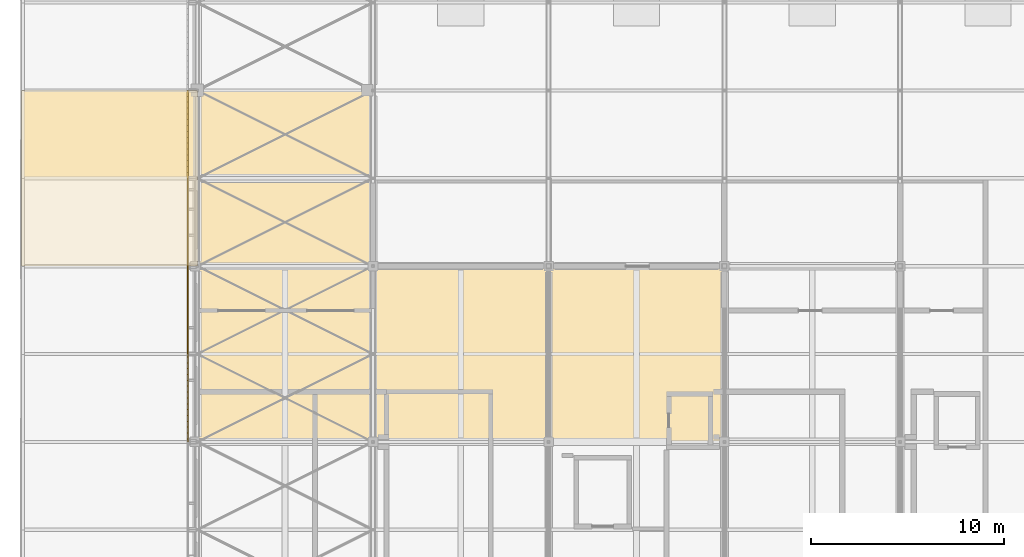
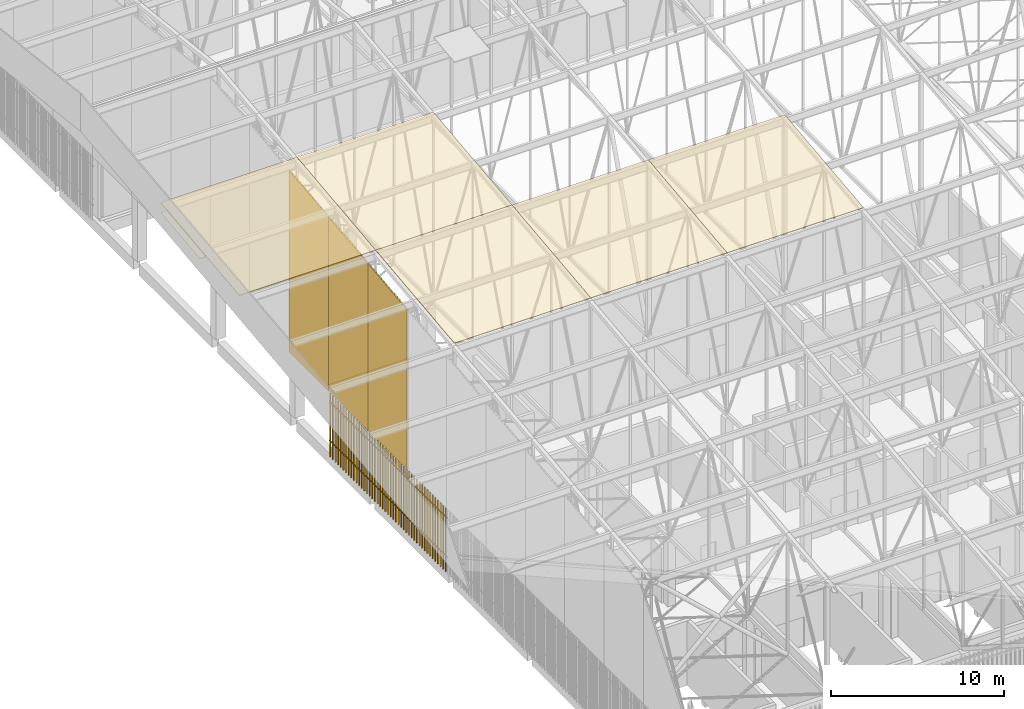
# One storey, part 463 of 500: 6 coverings, 5 shading devices.
"""IFC4 building model written with IfcOpenShell, lengths in metres."""

from ifc_helpers import new_model, si_unit, direction, frame, origin, origin_2d, place, context, subcontext, project, spatial, polyline, rectangle, outline, extrude, material, layer, layer_set, type_object, element, save


model = new_model("IFC4")

# Units and contexts
model_context = context("Model", 3, precision=1e-05, world=origin(), true_north=direction((0.0, 1.0)))
body_context = subcontext(model_context, "Body", "Model", "MODEL_VIEW")
ifc_project = project(units=[si_unit("LENGTHUNIT", "METRE"), si_unit("AREAUNIT", "SQUARE_METRE"), si_unit("VOLUMEUNIT", "CUBIC_METRE"), si_unit("PLANEANGLEUNIT", "RADIAN"), si_unit("MASSUNIT", "GRAM", prefix="KILO")], contexts=[model_context])

# Site, building, storey
site_placement = place(None, origin())
site = spatial("IfcSite", under=ifc_project, at=site_placement, CompositionType="ELEMENT")
building_placement = place(site_placement, origin())
building = spatial("IfcBuilding", under=site, at=building_placement, Name="Shirokan Park Arena", CompositionType="ELEMENT")
storey_placement = place(building_placement, frame((0.0, 0.0, 29.1201171875)))
storey = spatial("IfcBuildingStorey", under=building, at=storey_placement, Name="L06", CompositionType="ELEMENT", Elevation=29.1201171875)

# Coverings
ifc_material_1 = material(Name="Bituminous roofing membrane")
ifc_layer_1 = layer(ifc_material_1, 0.010009765625, Name="Bituminous roofing membrane")
ifc_material_2 = material(Name="Mineral wool insulation")
ifc_layer_2 = layer(ifc_material_2, 0.050048828125, Name="Mineral wool insulation")
ifc_layer_set_1 = layer_set([ifc_layer_1, ifc_layer_2], Name="Bituminous roofing membrane + Mineral wool insulation")
covering_type_1 = type_object("IfcCoveringType", Name="Roofing membrane 60", PredefinedType="ROOFING", material=ifc_layer_set_1)
covering_1_placement = place(storey_placement, frame((-9.10009765625, 36.39990234375, 17.090576171875), z_axis=(0.0, -0.113549598152, 0.993532328996), x_axis=(1.0, 0.0, 0.0)))
element("IfcCovering", 1, at=covering_1_placement, inside=storey, type_object=covering_type_1, Name="Roofing", PredefinedType="ROOFING", context=body_context, shape_type="SweptSolid", body=[
    extrude(outline(polyline([(0.0, 0.0), (9.10009765625, 0.0), (9.10009765625, 9.15933723611117), (0.0, 9.15933723611117), (0.0, 0.0)])), origin(), (0.0, 0.0, -1.0), 0.06005859375),
])
covering_2_placement = place(storey_placement, frame((0.0, 27.300048828125, 16.05078125), z_axis=(0.0, -0.113526293343, 0.993534992197), x_axis=(1.0, 0.0, 0.0)))
element("IfcCovering", 2, at=covering_2_placement, inside=storey, type_object=covering_type_1, Name="Roofing", PredefinedType="ROOFING", context=body_context, shape_type="SweptSolid", body=[
    extrude(outline(polyline([(0.0, 0.0), (9.10009765625, 0.0), (9.10009765625, 9.159066954957241), (0.0, 9.159066954957241), (0.0, 0.0)])), origin(), (0.0, 0.0, -1.0), 0.06005859375),
])
covering_3_placement = place(storey_placement, frame((0.0, 36.39990234375, 17.090576171875), z_axis=(0.0, -0.113549598152, 0.993532328996), x_axis=(1.0, 0.0, 0.0)))
element("IfcCovering", 3, at=covering_3_placement, inside=storey, type_object=covering_type_1, Name="Roofing", PredefinedType="ROOFING", context=body_context, shape_type="SweptSolid", body=[
    extrude(outline(polyline([(0.0, 0.0), (9.10009765625, 0.0), (9.10009765625, 9.15933723611117), (0.0, 9.15933723611117), (0.0, 0.0)])), origin(), (0.0, 0.0, -1.0), 0.06005859375),
])
covering_4_placement = place(storey_placement, frame((9.10009765625, 27.300048828125, 16.05078125), z_axis=(0.0, -0.113526293343, 0.993534992197), x_axis=(1.0, 0.0, 0.0)))
element("IfcCovering", 4, at=covering_4_placement, inside=storey, type_object=covering_type_1, Name="Roofing", PredefinedType="ROOFING", context=body_context, shape_type="SweptSolid", body=[
    extrude(outline(polyline([(0.0, 0.0), (9.099853515625, 0.0), (9.099853515625, 9.159066954957241), (0.0, 9.159066954957241), (0.0, 0.0)])), origin(), (0.0, 0.0, -1.0), 0.06005859375),
])
covering_5_placement = place(storey_placement, frame((18.199951171875, 27.300048828125, 16.05078125), z_axis=(0.0, -0.113526293343, 0.993534992197), x_axis=(1.0, 0.0, 0.0)))
element("IfcCovering", 5, at=covering_5_placement, inside=storey, type_object=covering_type_1, Name="Roofing", PredefinedType="ROOFING", context=body_context, shape_type="SweptSolid", body=[
    extrude(outline(polyline([(0.0, 0.0), (9.10009765625, 0.0), (9.10009765625, 9.159066954957241), (0.0, 9.159066954957241), (0.0, 0.0)])), origin(), (0.0, 0.0, -1.0), 0.06005859375),
])
ifc_material_3 = material(Name="Timber soffit boards (cedar)", Category="wood")
ifc_layer_3 = layer(ifc_material_3, 0.030029296875)
ifc_layer_set_2 = layer_set([ifc_layer_3], Name="Timber soffit boards (cedar) 30 mm")
covering_type_2 = type_object("IfcCoveringType", Name="Timber boarded soffit panel", PredefinedType="CLADDING", material=ifc_layer_set_2)
covering_6_placement = place(storey_placement, origin())
element("IfcCovering", 6, at=covering_6_placement, inside=storey, type_object=covering_type_2, Name="Rake soffit west bay 12", PredefinedType="CLADDING", context=body_context, shape_type="SweptSolid", body=[
    extrude(outline(polyline([(0.0, 0.0), (0.11999999999999922, 0.0), (0.11999999999999922, -4.579617887990217), (0.0, -4.579617887990217), (0.0, 0.0)])), frame((-8.97998046875, 40.949951171875, 16.90185546875), z_axis=(0.0, -0.113546591161, 0.993532672656), x_axis=(-1.0, 0.0, 0.0)), (0.0, 0.0, -1.0), 0.030029296875),
    extrude(outline(polyline([(0.0, 0.0), (0.12, 0.0), (0.12, -4.579617887990218), (0.0, -4.579617887990218), (0.0, 0.0)])), frame((-0.2470703125, 45.5, 17.421875), z_axis=(0.0, -0.113546591161, 0.993532672656), x_axis=(1.0, 0.0, 0.0)), (0.0, 0.0, -1.0), 0.030029296875),
    extrude(outline(polyline([(0.0, 0.0), (0.12078064455863562, 0.0), (0.12078064455863562, -8.733000000000002), (0.0, -8.733000000000002), (0.0, 0.0)])), frame((-0.2470703125, 45.5, 17.421875), z_axis=(0.0, -0.11351156512, 0.993536675007), x_axis=(0.0, -0.993536675007, -0.11351156512)), (0.0, 0.0, -1.0), 0.030029296875),
    extrude(outline(polyline([(0.0, 0.0), (0.12078064455863563, 0.0), (0.12078064455863563, -8.733), (0.0, -8.733), (0.0, 0.0)])), frame((-8.97998046875, 40.949951171875, 16.90185546875), z_axis=(0.0, -0.11351156512, 0.993536675007), x_axis=(0.0, 0.993536675007, 0.11351156512)), (0.0, 0.0, -1.0), 0.030029296875),
    extrude(outline(polyline([(0.0, 0.0), (8.733, 0.0), (8.733, -0.18452428160000803), (0.0, -0.18452428160000803), (0.0, 0.0)])), frame((-8.97998046875, 41.25341796875, 16.9365234375), z_axis=(0.0, -0.113589386818, 0.99352778079), x_axis=(1.0, 0.0, 0.0)), (0.0, 0.0, -1.0), 0.030029296875),
    extrude(outline(polyline([(0.0, 0.0), (8.733, 0.0), (8.733, -0.30531372586243044), (0.0, -0.30531372586243044), (0.0, 0.0)])), frame((-8.97998046875, 41.556640625, 16.97119140625), z_axis=(0.0, -0.113522573877, 0.993535417195), x_axis=(1.0, 0.0, 0.0)), (0.0, 0.0, -1.0), 0.030029296875),
    extrude(outline(polyline([(0.0, 0.0), (8.733, 0.0), (8.733, -0.3053049259347144), (0.0, -0.3053049259347144), (0.0, 0.0)])), frame((-8.97998046875, 41.860107421875, 17.005859375), z_axis=(0.0, -0.113558600124, 0.99353130013), x_axis=(1.0, 0.0, 0.0)), (0.0, 0.0, -1.0), 0.030029296875),
    extrude(outline(polyline([(0.0, 0.0), (8.733, 0.0), (8.733, -0.3053049259347152), (0.0, -0.3053049259347152), (0.0, 0.0)])), frame((-8.97998046875, 42.163330078125, 17.04052734375), z_axis=(0.0, -0.113558600124, 0.99353130013), x_axis=(1.0, 0.0, 0.0)), (0.0, 0.0, -1.0), 0.030029296875),
    extrude(outline(polyline([(0.0, 0.0), (8.733, 0.0), (8.733, -0.3053137258624296), (0.0, -0.3053137258624296), (0.0, 0.0)])), frame((-8.97998046875, 42.466552734375, 17.0751953125), z_axis=(0.0, -0.113522573877, 0.993535417195), x_axis=(1.0, 0.0, 0.0)), (0.0, 0.0, -1.0), 0.030029296875),
    extrude(outline(polyline([(0.0, 0.0), (8.733, 0.0), (8.733, -0.3053049259347144), (0.0, -0.3053049259347144), (0.0, 0.0)])), frame((-8.97998046875, 42.77001953125, 17.10986328125), z_axis=(0.0, -0.113558600124, 0.99353130013), x_axis=(1.0, 0.0, 0.0)), (0.0, 0.0, -1.0), 0.030029296875),
    extrude(outline(polyline([(0.0, 0.0), (8.733, 0.0), (8.733, -0.3053049259347081), (0.0, -0.3053049259347081), (0.0, 0.0)])), frame((-8.97998046875, 43.0732421875, 17.14453125), z_axis=(0.0, -0.113558600124, 0.99353130013), x_axis=(1.0, 0.0, 0.0)), (0.0, 0.0, -1.0), 0.030029296875),
    extrude(outline(polyline([(0.0, 0.0), (8.733, 0.0), (8.733, -0.3053137258624296), (0.0, -0.3053137258624296), (0.0, 0.0)])), frame((-8.97998046875, 43.376708984375, 17.17919921875), z_axis=(0.0, -0.113522573877, 0.993535417195), x_axis=(1.0, 0.0, 0.0)), (0.0, 0.0, -1.0), 0.030029296875),
    extrude(outline(polyline([(0.0, 0.0), (8.733, 0.0), (8.733, -0.3053049259347152), (0.0, -0.3053049259347152), (0.0, 0.0)])), frame((-8.97998046875, 43.679931640625, 17.2138671875), z_axis=(0.0, -0.113558600124, 0.99353130013), x_axis=(1.0, 0.0, 0.0)), (0.0, 0.0, -1.0), 0.030029296875),
    extrude(outline(polyline([(0.0, 0.0), (8.733, 0.0), (8.733, -0.3053049259347144), (0.0, -0.3053049259347144), (0.0, 0.0)])), frame((-8.97998046875, 43.9833984375, 17.24853515625), z_axis=(0.0, -0.113558600124, 0.99353130013), x_axis=(1.0, 0.0, 0.0)), (0.0, 0.0, -1.0), 0.030029296875),
    extrude(outline(polyline([(0.0, 0.0), (8.733, 0.0), (8.733, -0.3053137258624296), (0.0, -0.3053137258624296), (0.0, 0.0)])), frame((-8.97998046875, 44.28662109375, 17.283203125), z_axis=(0.0, -0.113522573877, 0.993535417195), x_axis=(1.0, 0.0, 0.0)), (0.0, 0.0, -1.0), 0.030029296875),
    extrude(outline(polyline([(0.0, 0.0), (8.733, 0.0), (8.733, -0.3053049259347152), (0.0, -0.3053049259347152), (0.0, 0.0)])), frame((-8.97998046875, 44.590087890625, 17.31787109375), z_axis=(0.0, -0.113558600124, 0.99353130013), x_axis=(1.0, 0.0, 0.0)), (0.0, 0.0, -1.0), 0.030029296875),
    extrude(outline(polyline([(0.0, 0.0), (8.733, 0.0), (8.733, -0.3053049259347073), (0.0, -0.3053049259347073), (0.0, 0.0)])), frame((-8.97998046875, 44.893310546875, 17.3525390625), z_axis=(0.0, -0.113558600124, 0.99353130013), x_axis=(1.0, 0.0, 0.0)), (0.0, 0.0, -1.0), 0.030029296875),
    extrude(outline(polyline([(0.0, 0.0), (8.733, 0.0), (8.733, -0.30531372586243044), (0.0, -0.30531372586243044), (0.0, 0.0)])), frame((-8.97998046875, 45.19677734375, 17.38720703125), z_axis=(0.0, -0.113522573877, 0.993535417195), x_axis=(1.0, 0.0, 0.0)), (0.0, 0.0, -1.0), 0.030029296875),
    extrude(outline(polyline([(0.0, 0.0), (8.733, 0.0), (8.733, -0.1845242816000151), (0.0, -0.1845242816000151), (0.0, 0.0)])), frame((-8.97998046875, 45.3798828125, 17.408203125), z_axis=(0.0, -0.113589386818, 0.99352778079), x_axis=(1.0, 0.0, 0.0)), (0.0, 0.0, -1.0), 0.030029296875),
])

# Shading devices
ifc_material_4 = material(Name="Timber louvre veil (cedar)", Category="wood")
shading_device_type_1 = type_object("IfcShadingDeviceType", Name="Timber louvre veil panel", PredefinedType="JALOUSIE", material=ifc_material_4)
shading_device_1_placement = place(storey_placement, origin())
element("IfcShadingDevice", 7, at=shading_device_1_placement, inside=storey, type_object=shading_device_type_1, Name="Timber louvre veil west bay 8 L06", PredefinedType="JALOUSIE", context=body_context, shape_type="SweptSolid", body=[
    extrude(rectangle(XDim=0.050048828125, YDim=0.080078125, at=origin_2d()), frame((-0.485107421875, 40.79833984375, 0.0), z_axis=(0.0, 0.0, 1.0), x_axis=(0.0, -1.0, 0.0)), (0.0, 0.0, 1.0), 4.5),
    extrude(rectangle(XDim=0.050048828125, YDim=0.080078125, at=origin_2d()), frame((-0.485107421875, 40.4951171875, 0.0), z_axis=(0.0, 0.0, 1.0), x_axis=(0.0, -1.0, 0.0)), (0.0, 0.0, 1.0), 4.5),
    extrude(rectangle(XDim=0.050048828125, YDim=0.080078125, at=origin_2d()), frame((-0.485107421875, 40.191650390625, 0.0), z_axis=(0.0, 0.0, 1.0), x_axis=(0.0, -1.0, 0.0)), (0.0, 0.0, 1.0), 4.5),
    extrude(rectangle(XDim=0.050048828125, YDim=0.080078125, at=origin_2d()), frame((-0.485107421875, 39.888427734375, 0.0), z_axis=(0.0, 0.0, 1.0), x_axis=(0.0, -1.0, 0.0)), (0.0, 0.0, 1.0), 4.5),
    extrude(rectangle(XDim=0.050048828125, YDim=0.080078125, at=origin_2d()), frame((-0.485107421875, 39.5849609375, 0.0), z_axis=(0.0, 0.0, 1.0), x_axis=(0.0, -1.0, 0.0)), (0.0, 0.0, 1.0), 4.5),
    extrude(rectangle(XDim=0.050048828125, YDim=0.080078125, at=origin_2d()), frame((-0.485107421875, 39.28173828125, 0.0), z_axis=(0.0, 0.0, 1.0), x_axis=(0.0, -1.0, 0.0)), (0.0, 0.0, 1.0), 4.5),
    extrude(rectangle(XDim=0.050048828125, YDim=0.080078125, at=origin_2d()), frame((-0.485107421875, 38.978271484375, 0.0), z_axis=(0.0, 0.0, 1.0), x_axis=(0.0, -1.0, 0.0)), (0.0, 0.0, 1.0), 4.5),
    extrude(rectangle(XDim=0.050048828125, YDim=0.080078125, at=origin_2d()), frame((-0.485107421875, 38.675048828125, 0.0), z_axis=(0.0, 0.0, 1.0), x_axis=(0.0, -1.0, 0.0)), (0.0, 0.0, 1.0), 4.5),
    extrude(rectangle(XDim=0.050048828125, YDim=0.080078125, at=origin_2d()), frame((-0.485107421875, 38.37158203125, 0.0), z_axis=(0.0, 0.0, 1.0), x_axis=(0.0, -1.0, 0.0)), (0.0, 0.0, 1.0), 4.5),
    extrude(rectangle(XDim=0.050048828125, YDim=0.080078125, at=origin_2d()), frame((-0.485107421875, 38.068359375, 0.0), z_axis=(0.0, 0.0, 1.0), x_axis=(0.0, -1.0, 0.0)), (0.0, 0.0, 1.0), 4.5),
    extrude(rectangle(XDim=0.050048828125, YDim=0.080078125, at=origin_2d()), frame((-0.485107421875, 37.764892578125, 0.0), z_axis=(0.0, 0.0, 1.0), x_axis=(0.0, -1.0, 0.0)), (0.0, 0.0, 1.0), 4.5),
    extrude(rectangle(XDim=0.050048828125, YDim=0.080078125, at=origin_2d()), frame((-0.485107421875, 37.461669921875, 0.0), z_axis=(0.0, 0.0, 1.0), x_axis=(0.0, -1.0, 0.0)), (0.0, 0.0, 1.0), 4.5),
    extrude(rectangle(XDim=0.050048828125, YDim=0.080078125, at=origin_2d()), frame((-0.485107421875, 37.158447265625, 0.0), z_axis=(0.0, 0.0, 1.0), x_axis=(0.0, -1.0, 0.0)), (0.0, 0.0, 1.0), 4.5),
    extrude(rectangle(XDim=0.050048828125, YDim=0.080078125, at=origin_2d()), frame((-0.485107421875, 36.85498046875, 0.0), z_axis=(0.0, 0.0, 1.0), x_axis=(0.0, -1.0, 0.0)), (0.0, 0.0, 1.0), 4.5),
    extrude(rectangle(XDim=0.050048828125, YDim=0.080078125, at=origin_2d()), frame((-0.485107421875, 36.5517578125, 0.0), z_axis=(0.0, 0.0, 1.0), x_axis=(0.0, -1.0, 0.0)), (0.0, 0.0, 1.0), 4.5),
    extrude(rectangle(XDim=4.550048828125, YDim=0.050048828125, at=origin_2d()), frame((-0.469970703125, 38.675048828125, 1.059814453125), z_axis=(0.0, 0.0, 1.0), x_axis=(0.0, -1.0, 0.0)), (0.0, 0.0, 1.0), 0.080078125),
    extrude(rectangle(XDim=4.550048828125, YDim=0.050048828125, at=origin_2d()), frame((-0.469970703125, 38.675048828125, 3.809814453125), z_axis=(0.0, 0.0, 1.0), x_axis=(0.0, -1.0, 0.0)), (0.0, 0.0, 1.0), 0.080078125),
])
shading_device_2_placement = place(storey_placement, origin())
element("IfcShadingDevice", 8, at=shading_device_2_placement, inside=storey, type_object=shading_device_type_1, Name="Timber louvre veil west bay 9 L06", PredefinedType="JALOUSIE", context=body_context, shape_type="SweptSolid", body=[
    extrude(rectangle(XDim=0.050048828125, YDim=0.080078125, at=origin_2d()), frame((-0.485107421875, 36.248291015625, 0.0), z_axis=(0.0, 0.0, 1.0), x_axis=(0.0, -1.0, 0.0)), (0.0, 0.0, 1.0), 4.5),
    extrude(rectangle(XDim=0.050048828125, YDim=0.080078125, at=origin_2d()), frame((-0.485107421875, 35.945068359375, 0.0), z_axis=(0.0, 0.0, 1.0), x_axis=(0.0, -1.0, 0.0)), (0.0, 0.0, 1.0), 4.5),
    extrude(rectangle(XDim=0.050048828125, YDim=0.080078125, at=origin_2d()), frame((-0.485107421875, 35.6416015625, 0.0), z_axis=(0.0, 0.0, 1.0), x_axis=(0.0, -1.0, 0.0)), (0.0, 0.0, 1.0), 4.5),
    extrude(rectangle(XDim=0.050048828125, YDim=0.080078125, at=origin_2d()), frame((-0.485107421875, 35.33837890625, 0.0), z_axis=(0.0, 0.0, 1.0), x_axis=(0.0, -1.0, 0.0)), (0.0, 0.0, 1.0), 4.5),
    extrude(rectangle(XDim=0.050048828125, YDim=0.080078125, at=origin_2d()), frame((-0.485107421875, 35.034912109375, 0.0), z_axis=(0.0, 0.0, 1.0), x_axis=(0.0, -1.0, 0.0)), (0.0, 0.0, 1.0), 4.5),
    extrude(rectangle(XDim=0.050048828125, YDim=0.080078125, at=origin_2d()), frame((-0.485107421875, 34.731689453125, 0.0), z_axis=(0.0, 0.0, 1.0), x_axis=(0.0, -1.0, 0.0)), (0.0, 0.0, 1.0), 4.5),
    extrude(rectangle(XDim=0.050048828125, YDim=0.080078125, at=origin_2d()), frame((-0.485107421875, 34.42822265625, 0.0), z_axis=(0.0, 0.0, 1.0), x_axis=(0.0, -1.0, 0.0)), (0.0, 0.0, 1.0), 4.5),
    extrude(rectangle(XDim=0.050048828125, YDim=0.080078125, at=origin_2d()), frame((-0.485107421875, 34.125, 0.0), z_axis=(0.0, 0.0, 1.0), x_axis=(0.0, -1.0, 0.0)), (0.0, 0.0, 1.0), 4.5),
    extrude(rectangle(XDim=0.050048828125, YDim=0.080078125, at=origin_2d()), frame((-0.485107421875, 33.82177734375, 0.0), z_axis=(0.0, 0.0, 1.0), x_axis=(0.0, -1.0, 0.0)), (0.0, 0.0, 1.0), 4.5),
    extrude(rectangle(XDim=0.050048828125, YDim=0.080078125, at=origin_2d()), frame((-0.485107421875, 33.518310546875, 0.0), z_axis=(0.0, 0.0, 1.0), x_axis=(0.0, -1.0, 0.0)), (0.0, 0.0, 1.0), 4.5),
    extrude(rectangle(XDim=0.050048828125, YDim=0.080078125, at=origin_2d()), frame((-0.485107421875, 33.215087890625, 0.0), z_axis=(0.0, 0.0, 1.0), x_axis=(0.0, -1.0, 0.0)), (0.0, 0.0, 1.0), 4.5),
    extrude(rectangle(XDim=0.050048828125, YDim=0.080078125, at=origin_2d()), frame((-0.485107421875, 32.91162109375, 0.0), z_axis=(0.0, 0.0, 1.0), x_axis=(0.0, -1.0, 0.0)), (0.0, 0.0, 1.0), 4.5),
    extrude(rectangle(XDim=0.050048828125, YDim=0.080078125, at=origin_2d()), frame((-0.485107421875, 32.6083984375, 0.0), z_axis=(0.0, 0.0, 1.0), x_axis=(0.0, -1.0, 0.0)), (0.0, 0.0, 1.0), 4.5),
    extrude(rectangle(XDim=0.050048828125, YDim=0.080078125, at=origin_2d()), frame((-0.485107421875, 32.304931640625, 0.0), z_axis=(0.0, 0.0, 1.0), x_axis=(0.0, -1.0, 0.0)), (0.0, 0.0, 1.0), 4.5),
    extrude(rectangle(XDim=0.050048828125, YDim=0.080078125, at=origin_2d()), frame((-0.485107421875, 32.001708984375, 0.0), z_axis=(0.0, 0.0, 1.0), x_axis=(0.0, -1.0, 0.0)), (0.0, 0.0, 1.0), 4.5),
    extrude(rectangle(XDim=0.050048828125, YDim=0.080078125, at=origin_2d()), frame((-0.485107421875, 31.6982421875, 0.0), z_axis=(0.0, 0.0, 1.0), x_axis=(0.0, -1.0, 0.0)), (0.0, 0.0, 1.0), 4.5),
    extrude(rectangle(XDim=0.050048828125, YDim=0.080078125, at=origin_2d()), frame((-0.485107421875, 31.39501953125, 0.0), z_axis=(0.0, 0.0, 1.0), x_axis=(0.0, -1.0, 0.0)), (0.0, 0.0, 1.0), 4.5),
    extrude(rectangle(XDim=0.050048828125, YDim=0.080078125, at=origin_2d()), frame((-0.485107421875, 31.091552734375, 0.0), z_axis=(0.0, 0.0, 1.0), x_axis=(0.0, -1.0, 0.0)), (0.0, 0.0, 1.0), 4.5),
    extrude(rectangle(XDim=0.050048828125, YDim=0.080078125, at=origin_2d()), frame((-0.485107421875, 30.788330078125, 0.0), z_axis=(0.0, 0.0, 1.0), x_axis=(0.0, -1.0, 0.0)), (0.0, 0.0, 1.0), 4.5),
    extrude(rectangle(XDim=0.050048828125, YDim=0.080078125, at=origin_2d()), frame((-0.485107421875, 30.485107421875, 0.0), z_axis=(0.0, 0.0, 1.0), x_axis=(0.0, -1.0, 0.0)), (0.0, 0.0, 1.0), 4.5),
    extrude(rectangle(XDim=0.050048828125, YDim=0.080078125, at=origin_2d()), frame((-0.485107421875, 30.181640625, 0.0), z_axis=(0.0, 0.0, 1.0), x_axis=(0.0, -1.0, 0.0)), (0.0, 0.0, 1.0), 4.5),
    extrude(rectangle(XDim=0.050048828125, YDim=0.080078125, at=origin_2d()), frame((-0.485107421875, 29.87841796875, 0.0), z_axis=(0.0, 0.0, 1.0), x_axis=(0.0, -1.0, 0.0)), (0.0, 0.0, 1.0), 4.5),
    extrude(rectangle(XDim=0.050048828125, YDim=0.080078125, at=origin_2d()), frame((-0.485107421875, 29.574951171875, 0.0), z_axis=(0.0, 0.0, 1.0), x_axis=(0.0, -1.0, 0.0)), (0.0, 0.0, 1.0), 4.5),
    extrude(rectangle(XDim=0.050048828125, YDim=0.080078125, at=origin_2d()), frame((-0.485107421875, 29.271728515625, 0.0), z_axis=(0.0, 0.0, 1.0), x_axis=(0.0, -1.0, 0.0)), (0.0, 0.0, 1.0), 4.5),
    extrude(rectangle(XDim=0.050048828125, YDim=0.080078125, at=origin_2d()), frame((-0.485107421875, 28.96826171875, 0.0), z_axis=(0.0, 0.0, 1.0), x_axis=(0.0, -1.0, 0.0)), (0.0, 0.0, 1.0), 4.5),
    extrude(rectangle(XDim=0.050048828125, YDim=0.080078125, at=origin_2d()), frame((-0.485107421875, 28.6650390625, 0.0), z_axis=(0.0, 0.0, 1.0), x_axis=(0.0, -1.0, 0.0)), (0.0, 0.0, 1.0), 4.5),
    extrude(rectangle(XDim=0.050048828125, YDim=0.080078125, at=origin_2d()), frame((-0.485107421875, 28.361572265625, 0.0), z_axis=(0.0, 0.0, 1.0), x_axis=(0.0, -1.0, 0.0)), (0.0, 0.0, 1.0), 4.5),
    extrude(rectangle(XDim=0.050048828125, YDim=0.080078125, at=origin_2d()), frame((-0.485107421875, 28.058349609375, 0.0), z_axis=(0.0, 0.0, 1.0), x_axis=(0.0, -1.0, 0.0)), (0.0, 0.0, 1.0), 4.5),
    extrude(rectangle(XDim=0.050048828125, YDim=0.080078125, at=origin_2d()), frame((-0.485107421875, 27.7548828125, 0.0), z_axis=(0.0, 0.0, 1.0), x_axis=(0.0, -1.0, 0.0)), (0.0, 0.0, 1.0), 4.5),
    extrude(rectangle(XDim=0.050048828125, YDim=0.080078125, at=origin_2d()), frame((-0.485107421875, 27.45166015625, 0.0), z_axis=(0.0, 0.0, 1.0), x_axis=(0.0, -1.0, 0.0)), (0.0, 0.0, 1.0), 4.5),
    extrude(rectangle(XDim=9.10009765625, YDim=0.050048828125, at=origin_2d()), frame((-0.469970703125, 31.85009765625, 1.059814453125), z_axis=(0.0, 0.0, 1.0), x_axis=(0.0, -1.0, 0.0)), (0.0, 0.0, 1.0), 0.080078125),
    extrude(rectangle(XDim=9.10009765625, YDim=0.050048828125, at=origin_2d()), frame((-0.469970703125, 31.85009765625, 3.809814453125), z_axis=(0.0, 0.0, 1.0), x_axis=(0.0, -1.0, 0.0)), (0.0, 0.0, 1.0), 0.080078125),
])
shading_device_type_2 = type_object("IfcShadingDeviceType", Name="Timber louvre veil panel, gable band, closed", PredefinedType="JALOUSIE", material=ifc_material_4)
shading_device_3_placement = place(storey_placement, origin())
element("IfcShadingDevice", 9, at=shading_device_3_placement, inside=storey, type_object=shading_device_type_2, Name="Timber louvre veil gable band west bay 10", PredefinedType="JALOUSIE", context=body_context, shape_type="SweptSolid", body=[
    extrude(outline(polyline([(32.1533203125, 15.831787109375), (31.85009765625, 15.831787109375), (31.85009765625, 4.575927734375), (36.39990234375, 4.575927734375), (36.39990234375, 16.317138671875), (36.0966796875, 16.317138671875), (36.0966796875, 16.282470703125), (35.793212890625, 16.282470703125), (35.793212890625, 16.247802734375), (35.489990234375, 16.247802734375), (35.489990234375, 16.213134765625), (35.186767578125, 16.213134765625), (35.186767578125, 16.178466796875), (34.88330078125, 16.178466796875), (34.88330078125, 16.143798828125), (34.580078125, 16.143798828125), (34.580078125, 16.109130859375), (34.276611328125, 16.109130859375), (34.276611328125, 16.074462890625), (33.973388671875, 16.074462890625), (33.973388671875, 16.039794921875), (33.669921875, 16.039794921875), (33.669921875, 16.005126953125), (33.36669921875, 16.005126953125), (33.36669921875, 15.970458984375), (33.063232421875, 15.970458984375), (33.063232421875, 15.935791015625), (32.760009765625, 15.935791015625), (32.760009765625, 15.901123046875), (32.456787109375, 15.901123046875), (32.456787109375, 15.866455078125), (32.1533203125, 15.866455078125), (32.1533203125, 15.831787109375)])), frame((-0.525146484375, 0.0, 0.0), z_axis=(1.0, 0.0, 0.0), x_axis=(0.0, 1.0, 0.0)), (0.0, 0.0, 1.0), 0.080078125),
    extrude(rectangle(XDim=0.050048828125, YDim=4.550048828125, at=origin_2d()), frame((-0.469970703125, 34.125, 4.98583984375), z_axis=(0.0, 0.0, 1.0), x_axis=(1.0, 0.0, 0.0)), (0.0, 0.0, 1.0), 0.080078125),
    extrude(rectangle(XDim=0.050048828125, YDim=4.550048828125, at=origin_2d()), frame((-0.469970703125, 34.125, 10.163818359375), z_axis=(0.0, 0.0, 1.0), x_axis=(1.0, 0.0, 0.0)), (0.0, 0.0, 1.0), 0.080078125),
    extrude(rectangle(XDim=0.050048828125, YDim=4.550048828125, at=origin_2d()), frame((-0.469970703125, 34.125, 15.69189453125), z_axis=(0.0, 0.0, 1.0), x_axis=(1.0, 0.0, 0.0)), (0.0, 0.0, 1.0), 0.080078125),
])
shading_device_4_placement = place(storey_placement, origin())
element("IfcShadingDevice", 10, at=shading_device_4_placement, inside=storey, type_object=shading_device_type_2, Name="Timber louvre veil gable band west bay 11", PredefinedType="JALOUSIE", context=body_context, shape_type="SweptSolid", body=[
    extrude(outline(polyline([(36.703369140625, 16.351806640625), (36.39990234375, 16.351806640625), (36.39990234375, 4.575927734375), (40.949951171875, 4.575927734375), (40.949951171875, 16.837158203125), (40.646728515625, 16.837158203125), (40.646728515625, 16.802490234375), (40.34326171875, 16.802490234375), (40.34326171875, 16.767822265625), (40.0400390625, 16.767822265625), (40.0400390625, 16.733154296875), (39.736572265625, 16.733154296875), (39.736572265625, 16.698486328125), (39.433349609375, 16.698486328125), (39.433349609375, 16.663818359375), (39.1298828125, 16.663818359375), (39.1298828125, 16.629150390625), (38.82666015625, 16.629150390625), (38.82666015625, 16.594482421875), (38.5234375, 16.594482421875), (38.5234375, 16.559814453125), (38.219970703125, 16.559814453125), (38.219970703125, 16.525146484375), (37.916748046875, 16.525146484375), (37.916748046875, 16.490478515625), (37.61328125, 16.490478515625), (37.61328125, 16.455810546875), (37.31005859375, 16.455810546875), (37.31005859375, 16.421142578125), (37.006591796875, 16.421142578125), (37.006591796875, 16.386474609375), (36.703369140625, 16.386474609375), (36.703369140625, 16.351806640625)])), frame((-0.525146484375, 0.0, 0.0), z_axis=(1.0, 0.0, 0.0), x_axis=(0.0, 1.0, 0.0)), (0.0, 0.0, 1.0), 0.080078125),
    extrude(rectangle(XDim=0.050048828125, YDim=4.550048828125, at=origin_2d()), frame((-0.469970703125, 38.675048828125, 4.98583984375), z_axis=(0.0, 0.0, 1.0), x_axis=(1.0, 0.0, 0.0)), (0.0, 0.0, 1.0), 0.080078125),
    extrude(rectangle(XDim=0.050048828125, YDim=4.550048828125, at=origin_2d()), frame((-0.469970703125, 38.675048828125, 10.423828125), z_axis=(0.0, 0.0, 1.0), x_axis=(1.0, 0.0, 0.0)), (0.0, 0.0, 1.0), 0.080078125),
    extrude(rectangle(XDim=0.050048828125, YDim=4.550048828125, at=origin_2d()), frame((-0.469970703125, 38.675048828125, 16.2119140625), z_axis=(0.0, 0.0, 1.0), x_axis=(1.0, 0.0, 0.0)), (0.0, 0.0, 1.0), 0.080078125),
])
shading_device_5_placement = place(storey_placement, origin())
element("IfcShadingDevice", 11, at=shading_device_5_placement, inside=storey, type_object=shading_device_type_2, Name="Timber louvre veil gable band west bay 12", PredefinedType="JALOUSIE", context=body_context, shape_type="SweptSolid", body=[
    extrude(outline(polyline([(41.25341796875, 16.871826171875), (40.949951171875, 16.871826171875), (40.949951171875, 4.575927734375), (45.5, 4.575927734375), (45.5, 17.357177734375), (45.19677734375, 17.357177734375), (45.19677734375, 17.322509765625), (44.893310546875, 17.322509765625), (44.893310546875, 17.287841796875), (44.590087890625, 17.287841796875), (44.590087890625, 17.253173828125), (44.28662109375, 17.253173828125), (44.28662109375, 17.218505859375), (43.9833984375, 17.218505859375), (43.9833984375, 17.183837890625), (43.679931640625, 17.183837890625), (43.679931640625, 17.149169921875), (43.376708984375, 17.149169921875), (43.376708984375, 17.114501953125), (43.0732421875, 17.114501953125), (43.0732421875, 17.079833984375), (42.77001953125, 17.079833984375), (42.77001953125, 17.045166015625), (42.466552734375, 17.045166015625), (42.466552734375, 17.010498046875), (42.163330078125, 17.010498046875), (42.163330078125, 16.975830078125), (41.860107421875, 16.975830078125), (41.860107421875, 16.941162109375), (41.556640625, 16.941162109375), (41.556640625, 16.906494140625), (41.25341796875, 16.906494140625), (41.25341796875, 16.871826171875)])), frame((-0.525146484375, 0.0, 0.0), z_axis=(1.0, 0.0, 0.0), x_axis=(0.0, 1.0, 0.0)), (0.0, 0.0, 1.0), 0.080078125),
    extrude(rectangle(XDim=0.050048828125, YDim=4.550048828125, at=origin_2d()), frame((-0.469970703125, 43.22509765625, 4.98583984375), z_axis=(0.0, 0.0, 1.0), x_axis=(1.0, 0.0, 0.0)), (0.0, 0.0, 1.0), 0.080078125),
    extrude(rectangle(XDim=0.050048828125, YDim=4.550048828125, at=origin_2d()), frame((-0.469970703125, 43.22509765625, 10.683837890625), z_axis=(0.0, 0.0, 1.0), x_axis=(1.0, 0.0, 0.0)), (0.0, 0.0, 1.0), 0.080078125),
    extrude(rectangle(XDim=0.050048828125, YDim=4.550048828125, at=origin_2d()), frame((-0.469970703125, 43.22509765625, 16.73193359375), z_axis=(0.0, 0.0, 1.0), x_axis=(1.0, 0.0, 0.0)), (0.0, 0.0, 1.0), 0.080078125),
])

save(model, "model.ifc")
